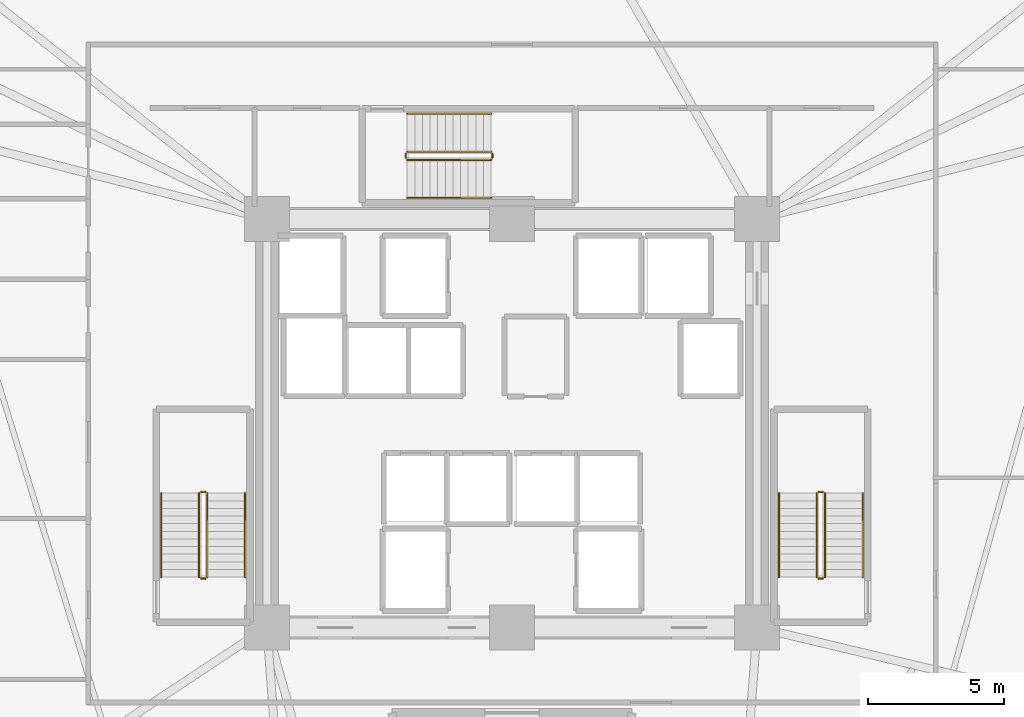
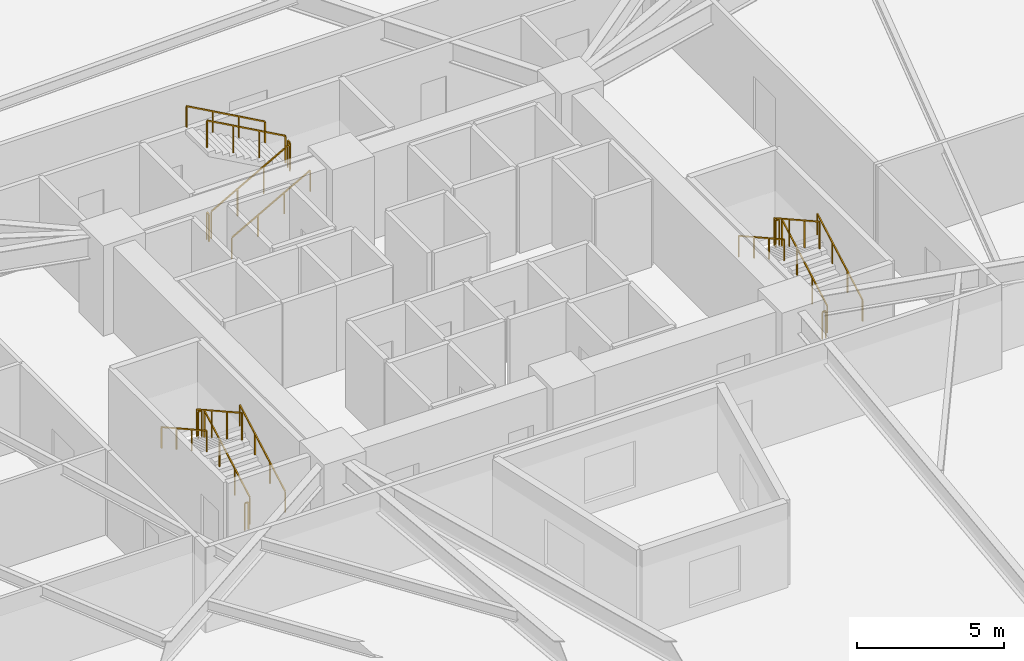
# One storey, part 9 of 9: 18 railings.
"""IFC4 building model written with IfcOpenShell, lengths in metres."""

import ifcopenshell
import ifcopenshell.guid

model = None  # the IFC model being written
_history = None  # IfcOwnerHistory: only IFC2X3 demands one
_inside = {}  # id of a spatial element -> (the spatial element, [elements in it])
_under = {}  # id of a project, library or spatial element -> (it, [spatial elements below it])
_declared = {}  # id of a project -> (the project, [libraries it declares])
_typed = {}  # id of a type object -> (the type object, [elements of that type])
_made_of = {}  # id of a material, layer set ... -> (it, [elements and type objects made of it])


def new_model(schema):
    """Start an empty IFC model of exactly this schema.

    Asked for "IFC4X3", IfcOpenShell would pick the latest addendum, in which some entities
    have other attributes; the version numbers below select the first issue.
    IFC2X3 requires an IfcOwnerHistory on every rooted entity: one is made here for all.
    """
    global model, _history
    if schema == "IFC4X3":
        model = ifcopenshell.file(schema_version=(4, 3, 0, 0))
    else:
        model = ifcopenshell.file(schema=schema)
    _inside.clear()
    _under.clear()
    _declared.clear()
    _typed.clear()
    _made_of.clear()
    _history = None
    if model.schema == "IFC2X3":
        org = make("IfcOrganization", Name="unknown")
        user = make(
            "IfcPersonAndOrganization",
            ThePerson=make("IfcPerson", FamilyName="unknown"),
            TheOrganization=org,
        )
        app = make(
            "IfcApplication",
            ApplicationDeveloper=org,
            Version="unknown",
            ApplicationFullName="unknown",
            ApplicationIdentifier="unknown",
        )
        _history = make(
            "IfcOwnerHistory",
            OwningUser=user,
            OwningApplication=app,
            ChangeAction="ADDED",
            CreationDate=0,
        )
    return model


def make(cls, **values):
    """One entity of the class cls with the attributes given. An attribute that is None is left unset."""
    return model.create_entity(
        cls, **{name: value for name, value in values.items() if value is not None}
    )


def rooted(cls, **values):
    """An entity with a GlobalId (a new one), such as an element, a storey or a relation."""
    return make(cls, GlobalId=ifcopenshell.guid.new(), OwnerHistory=_history, **values)


def si_unit(unit_type, name, prefix=None):
    """IfcSIUnit, for example si_unit("LENGTHUNIT", "METRE", prefix="MILLI")."""
    return make("IfcSIUnit", UnitType=unit_type, Prefix=prefix, Name=name)


def assignment(units):
    """IfcUnitAssignment: the units of a project."""
    return None if units is None else make("IfcUnitAssignment", Units=units)


def point(xyz):
    """IfcCartesianPoint."""
    return None if xyz is None else make("IfcCartesianPoint", Coordinates=xyz)


def direction(xyz):
    """IfcDirection."""
    return None if xyz is None else make("IfcDirection", DirectionRatios=xyz)


def frame(location, z_axis=None, x_axis=None):
    """IfcAxis2Placement3D, a coordinate frame: its origin and axes. An axis left out is left unset."""
    return make(
        "IfcAxis2Placement3D",
        Location=point(location),
        Axis=direction(z_axis),
        RefDirection=direction(x_axis),
    )


def frame_2d(location, x_axis=None):
    """IfcAxis2Placement2D, a coordinate frame in the plane: its origin and x axis."""
    return make(
        "IfcAxis2Placement2D", Location=point(location), RefDirection=direction(x_axis)
    )


def origin():
    """The frame at (0, 0, 0) with its axes left unset."""
    return frame((0.0, 0.0, 0.0))


def origin_2d():
    """The frame at (0, 0) in the plane with its x axis left unset."""
    return frame_2d((0.0, 0.0))


def place(relative_to, where):
    """IfcLocalPlacement: puts the frame where relative to a parent placement (None: the world)."""
    return make(
        "IfcLocalPlacement", PlacementRelTo=relative_to, RelativePlacement=where
    )


def context(
    kind, dimensions, precision=None, world=None, true_north=None, identifier=None
):
    """IfcGeometricRepresentationContext, for example the 3D "Model" context."""
    return make(
        "IfcGeometricRepresentationContext",
        ContextIdentifier=identifier,
        ContextType=kind,
        CoordinateSpaceDimension=dimensions,
        Precision=precision,
        WorldCoordinateSystem=world,
        TrueNorth=true_north,
    )


def subcontext(parent, identifier, kind, view, scale=None):
    """IfcGeometricRepresentationSubContext, for example "Body" below "Model"."""
    return make(
        "IfcGeometricRepresentationSubContext",
        ContextIdentifier=identifier,
        ContextType=kind,
        ParentContext=parent,
        TargetScale=scale,
        TargetView=view,
    )


def project(units=None, contexts=None):
    """IfcProject with its units and contexts."""
    return rooted(
        "IfcProject",
        Name="project",
        RepresentationContexts=contexts,
        UnitsInContext=assignment(units),
    )


def spatial(cls, under=None, at=None, **own):
    """A site, building, storey or space (cls), placed at a placement, below another one or the project."""
    s = rooted(cls, ObjectPlacement=at, **own)
    if under is not None:
        _under.setdefault(under.id(), (under, []))[1].append(s)
    return s


def profile(cls, at=None, kind="AREA", **sizes):
    """A parametric profile (cls). Its sizes go by their IFC names, for example OverallWidth=200.0."""
    return make(cls, ProfileType=kind, Position=at, **sizes)


def rectangle(**sizes):
    """IfcRectangleProfileDef."""
    return profile("IfcRectangleProfileDef", **sizes)


def extrude(swept, where, along, depth):
    """IfcExtrudedAreaSolid: the profile swept, set in the frame where, extruded along a direction by depth."""
    return make(
        "IfcExtrudedAreaSolid",
        SweptArea=swept,
        Position=where,
        ExtrudedDirection=direction(along),
        Depth=depth,
    )


def shape(context_of_items, identifier, shape_type, items):
    """IfcShapeRepresentation: the items that make up one representation, for example the "Body"."""
    return make(
        "IfcShapeRepresentation",
        ContextOfItems=context_of_items,
        RepresentationIdentifier=identifier,
        RepresentationType=shape_type,
        Items=items,
    )


def material(Name=None, Category=None):
    """IfcMaterial."""
    return make("IfcMaterial", Name=Name, Category=Category)


def made_of(thing, what):
    """Note that an element or type object is made of a material, layer set ...; save() writes the relation."""
    if what is not None:
        _made_of.setdefault(what.id(), (what, []))[1].append(thing)
    return thing


def type_object(cls, material=None, **own):
    """A type object (cls), such as IfcWallType, which elements share."""
    return made_of(rooted(cls, **own), material)


def element(
    cls,
    number,
    at=None,
    inside=None,
    cuts=None,
    type_object=None,
    material=None,
    context=None,
    identifier="Body",
    shape_type=None,
    held_by="IfcProductDefinitionShape",
    body=None,
    shapes=None,
    **own,
):
    """One element of the class cls, such as IfcWall. Its Tag is "e" and its number.

    at: its placement. inside: the storey or other place that contains it. cuts: it is an
    opening in that element (IfcRelVoidsElement). A single representation is given by context,
    identifier, shape_type and body (its items); several are given by shapes. held_by: the class
    of the entity that holds the representations. save() writes the other relations.
    """
    e = rooted(cls, Tag="e%d" % number, ObjectPlacement=at, **own)
    if body is not None:
        shapes = [shape(context, identifier, shape_type, body)]
    if shapes is not None:
        e.Representation = make(held_by, Representations=shapes)
    if inside is not None:
        _inside.setdefault(inside.id(), (inside, []))[1].append(e)
    if cuts is not None:
        rooted(
            "IfcRelVoidsElement", RelatingBuildingElement=cuts, RelatedOpeningElement=e
        )
    if type_object is not None:
        _typed.setdefault(type_object.id(), (type_object, []))[1].append(e)
    return made_of(e, material)


def aggregate(whole, parts):
    """IfcRelAggregates: a whole, such as a stair, and the parts it consists of."""
    return rooted("IfcRelAggregates", RelatingObject=whole, RelatedObjects=parts)


def save(model, path):
    """Write the relations noted so far, then the file.

    IfcRelAggregates (storeys below a building ...), IfcRelContainedInSpatialStructure (elements
    in a storey), IfcRelDefinesByType, IfcRelAssociatesMaterial and IfcRelDeclares: one each for
    every whole, place, type object, material and project.
    """
    for whole, parts in _under.values():
        aggregate(whole, parts)
    for where, things in _inside.values():
        rooted(
            "IfcRelContainedInSpatialStructure",
            RelatedElements=things,
            RelatingStructure=where,
        )
    for kind, things in _typed.values():
        rooted("IfcRelDefinesByType", RelatedObjects=things, RelatingType=kind)
    for what, things in _made_of.values():
        rooted("IfcRelAssociatesMaterial", RelatedObjects=things, RelatingMaterial=what)
    for by, libraries in _declared.values():
        rooted("IfcRelDeclares", RelatingContext=by, RelatedDefinitions=libraries)
    model.write(path)


model = new_model("IFC4")

# Units and contexts
model_context = context("Model", 3, precision=1e-05, world=origin(), true_north=direction((0.0, 1.0)))
body_context = subcontext(model_context, "Body", "Model", "MODEL_VIEW")
ifc_project = project(units=[si_unit("LENGTHUNIT", "METRE"), si_unit("AREAUNIT", "SQUARE_METRE"), si_unit("VOLUMEUNIT", "CUBIC_METRE"), si_unit("PLANEANGLEUNIT", "RADIAN"), si_unit("MASSUNIT", "GRAM", prefix="KILO")], contexts=[model_context])

# Site, building, storey
site_placement = place(None, origin())
site = spatial("IfcSite", under=ifc_project, at=site_placement, CompositionType="ELEMENT")
building_placement = place(site_placement, origin())
building = spatial("IfcBuilding", under=site, at=building_placement, Name="Liaohun Quay Tower", CompositionType="ELEMENT")
storey_placement = place(building_placement, frame((0.0, 0.0, 28.5)))
storey = spatial("IfcBuildingStorey", under=building, at=storey_placement, Name="L07", CompositionType="ELEMENT", Elevation=28.5)

# Railings
ifc_material_1 = material(Name="Painted tubular steel", Category="steel")
railing_type_1 = type_object("IfcRailingType", Name="RLG-GUARD-STR", PredefinedType="GUARDRAIL", material=ifc_material_1)
railing_1_placement = place(storey_placement, frame((48.81005859375, 48.35009765625, 0.15625)))
element("IfcRailing", 1, at=railing_1_placement, inside=storey, type_object=railing_type_1, Name="L07 ST-1 stair guard 1", PredefinedType="GUARDRAIL", context=body_context, shape_type="SweptSolid", body=[
    extrude(rectangle(XDim=0.048095703125, YDim=0.048095703125, at=origin_2d()), frame((0.0, 0.0, 1.1259765625), z_axis=(0.0, 0.873225103656, 0.487317061414), x_axis=(-1.0, 0.0, 0.0)), (0.0, 0.0, 1.0), 3.52685546875),
    extrude(rectangle(XDim=0.0419921875, YDim=0.0419921875, at=origin_2d()), origin(), (0.0, 0.0, 1.0), 1.101806640625),
    extrude(rectangle(XDim=0.0419921875, YDim=0.0419921875, at=origin_2d()), frame((0.0, 1.026611328125, 0.572998046875)), (0.0, 0.0, 1.0), 1.101806640625),
    extrude(rectangle(XDim=0.0419921875, YDim=0.0419921875, at=origin_2d()), frame((0.0, 2.05322265625, 1.145751953125)), (0.0, 0.0, 1.0), 1.101806640625),
    extrude(rectangle(XDim=0.0419921875, YDim=0.0419921875, at=origin_2d()), frame((0.0, 3.079833984375, 1.71875)), (0.0, 0.0, 1.0), 1.101806640625),
])
railing_2_placement = place(storey_placement, frame((48.72998046875, 51.47998046875, 1.875)))
element("IfcRailing", 2, at=railing_2_placement, inside=storey, type_object=railing_type_1, Name="L07 ST-1 stair guard 2", PredefinedType="GUARDRAIL", context=body_context, shape_type="SweptSolid", body=[
    extrude(rectangle(XDim=0.048095703125, YDim=0.048095703125, at=origin_2d()), frame((0.0, 0.0, 1.1259765625), z_axis=(-1.0, 0.0, 0.0), x_axis=(0.0, -1.0, 0.0)), (0.0, 0.0, 1.0), 0.139892578125),
    extrude(rectangle(XDim=0.0419921875, YDim=0.0419921875, at=origin_2d()), origin(), (0.0, 0.0, 1.0), 1.101806640625),
    extrude(rectangle(XDim=0.0419921875, YDim=0.0419921875, at=origin_2d()), frame((-0.139892578125, 0.0, 0.0)), (0.0, 0.0, 1.0), 1.101806640625),
])
railing_3_placement = place(storey_placement, frame((48.510009765625, 51.429931640625, 2.03125)))
element("IfcRailing", 3, at=railing_3_placement, inside=storey, type_object=railing_type_1, Name="L07 ST-1 stair guard 3", PredefinedType="GUARDRAIL", context=body_context, shape_type="SweptSolid", body=[
    extrude(rectangle(XDim=0.048095703125, YDim=0.048095703125, at=origin_2d()), frame((0.0, 0.0, 1.1259765625), z_axis=(0.0, -0.873225103656, 0.487317061414), x_axis=(1.0, 0.0, 0.0)), (0.0, 0.0, 1.0), 3.52685546875),
    extrude(rectangle(XDim=0.0419921875, YDim=0.0419921875, at=origin_2d()), origin(), (0.0, 0.0, 1.0), 1.101806640625),
    extrude(rectangle(XDim=0.0419921875, YDim=0.0419921875, at=origin_2d()), frame((0.0, -1.026611328125, 0.572998046875)), (0.0, 0.0, 1.0), 1.101806640625),
    extrude(rectangle(XDim=0.0419921875, YDim=0.0419921875, at=origin_2d()), frame((0.0, -2.05322265625, 1.145751953125)), (0.0, 0.0, 1.0), 1.101806640625),
    extrude(rectangle(XDim=0.0419921875, YDim=0.0419921875, at=origin_2d()), frame((0.0, -3.079833984375, 1.71875)), (0.0, 0.0, 1.0), 1.101806640625),
])
railing_4_placement = place(storey_placement, frame((48.72998046875, 48.300048828125, 0.0)))
element("IfcRailing", 4, at=railing_4_placement, inside=storey, type_object=railing_type_1, Name="L07 ST-1 stair guard 4", PredefinedType="GUARDRAIL", context=body_context, shape_type="SweptSolid", body=[
    extrude(rectangle(XDim=0.048095703125, YDim=0.048095703125, at=origin_2d()), frame((0.0, 0.0, 1.1259765625), z_axis=(-1.0, 0.0, 0.0), x_axis=(0.0, -1.0, 0.0)), (0.0, 0.0, 1.0), 0.139892578125),
    extrude(rectangle(XDim=0.0419921875, YDim=0.0419921875, at=origin_2d()), origin(), (0.0, 0.0, 1.0), 1.101806640625),
    extrude(rectangle(XDim=0.0419921875, YDim=0.0419921875, at=origin_2d()), frame((-0.139892578125, 0.0, 0.0)), (0.0, 0.0, 1.0), 1.101806640625),
])
railing_5_placement = place(storey_placement, frame((71.489990234375, 48.35009765625, 0.15625)))
element("IfcRailing", 5, at=railing_5_placement, inside=storey, type_object=railing_type_1, Name="L07 ST-2 stair guard 1", PredefinedType="GUARDRAIL", context=body_context, shape_type="SweptSolid", body=[
    extrude(rectangle(XDim=0.048095703125, YDim=0.048095703125, at=origin_2d()), frame((0.0, 0.0, 1.1259765625), z_axis=(0.0, 0.873225103656, 0.487317061414), x_axis=(-1.0, 0.0, 0.0)), (0.0, 0.0, 1.0), 3.52685546875),
    extrude(rectangle(XDim=0.0419921875, YDim=0.0419921875, at=origin_2d()), origin(), (0.0, 0.0, 1.0), 1.101806640625),
    extrude(rectangle(XDim=0.0419921875, YDim=0.0419921875, at=origin_2d()), frame((0.0, 1.026611328125, 0.572998046875)), (0.0, 0.0, 1.0), 1.101806640625),
    extrude(rectangle(XDim=0.0419921875, YDim=0.0419921875, at=origin_2d()), frame((0.0, 2.05322265625, 1.145751953125)), (0.0, 0.0, 1.0), 1.101806640625),
    extrude(rectangle(XDim=0.0419921875, YDim=0.0419921875, at=origin_2d()), frame((0.0, 3.079833984375, 1.71875)), (0.0, 0.0, 1.0), 1.101806640625),
])
railing_6_placement = place(storey_placement, frame((71.409912109375, 51.47998046875, 1.875)))
element("IfcRailing", 6, at=railing_6_placement, inside=storey, type_object=railing_type_1, Name="L07 ST-2 stair guard 2", PredefinedType="GUARDRAIL", context=body_context, shape_type="SweptSolid", body=[
    extrude(rectangle(XDim=0.048095703125, YDim=0.048095703125, at=origin_2d()), frame((0.0, 0.0, 1.1259765625), z_axis=(-1.0, 0.0, 0.0), x_axis=(0.0, -1.0, 0.0)), (0.0, 0.0, 1.0), 0.139892578125),
    extrude(rectangle(XDim=0.0419921875, YDim=0.0419921875, at=origin_2d()), origin(), (0.0, 0.0, 1.0), 1.101806640625),
    extrude(rectangle(XDim=0.0419921875, YDim=0.0419921875, at=origin_2d()), frame((-0.139892578125, 0.0, 0.0)), (0.0, 0.0, 1.0), 1.101806640625),
])
railing_7_placement = place(storey_placement, frame((71.18994140625, 51.429931640625, 2.03125)))
element("IfcRailing", 7, at=railing_7_placement, inside=storey, type_object=railing_type_1, Name="L07 ST-2 stair guard 3", PredefinedType="GUARDRAIL", context=body_context, shape_type="SweptSolid", body=[
    extrude(rectangle(XDim=0.048095703125, YDim=0.048095703125, at=origin_2d()), frame((0.0, 0.0, 1.1259765625), z_axis=(0.0, -0.873225103656, 0.487317061414), x_axis=(1.0, 0.0, 0.0)), (0.0, 0.0, 1.0), 3.52685546875),
    extrude(rectangle(XDim=0.0419921875, YDim=0.0419921875, at=origin_2d()), origin(), (0.0, 0.0, 1.0), 1.101806640625),
    extrude(rectangle(XDim=0.0419921875, YDim=0.0419921875, at=origin_2d()), frame((0.0, -1.026611328125, 0.572998046875)), (0.0, 0.0, 1.0), 1.101806640625),
    extrude(rectangle(XDim=0.0419921875, YDim=0.0419921875, at=origin_2d()), frame((0.0, -2.05322265625, 1.145751953125)), (0.0, 0.0, 1.0), 1.101806640625),
    extrude(rectangle(XDim=0.0419921875, YDim=0.0419921875, at=origin_2d()), frame((0.0, -3.079833984375, 1.71875)), (0.0, 0.0, 1.0), 1.101806640625),
])
railing_8_placement = place(storey_placement, frame((71.409912109375, 48.300048828125, 0.0)))
element("IfcRailing", 8, at=railing_8_placement, inside=storey, type_object=railing_type_1, Name="L07 ST-2 stair guard 4", PredefinedType="GUARDRAIL", context=body_context, shape_type="SweptSolid", body=[
    extrude(rectangle(XDim=0.048095703125, YDim=0.048095703125, at=origin_2d()), frame((0.0, 0.0, 1.1259765625), z_axis=(-1.0, 0.0, 0.0), x_axis=(0.0, -1.0, 0.0)), (0.0, 0.0, 1.0), 0.139892578125),
    extrude(rectangle(XDim=0.0419921875, YDim=0.0419921875, at=origin_2d()), origin(), (0.0, 0.0, 1.0), 1.101806640625),
    extrude(rectangle(XDim=0.0419921875, YDim=0.0419921875, at=origin_2d()), frame((-0.139892578125, 0.0, 0.0)), (0.0, 0.0, 1.0), 1.101806640625),
])
railing_9_placement = place(storey_placement, frame((56.14990234375, 63.669921875, 0.15625)))
element("IfcRailing", 9, at=railing_9_placement, inside=storey, type_object=railing_type_1, Name="L07 ST-3 stair guard 1", PredefinedType="GUARDRAIL", context=body_context, shape_type="SweptSolid", body=[
    extrude(rectangle(XDim=0.048095703125, YDim=0.048095703125, at=origin_2d()), frame((0.0, 0.0, 1.1259765625), z_axis=(0.873241540666, 0.0, 0.487287606713), x_axis=(0.0, 1.0, 0.0)), (0.0, 0.0, 1.0), 3.527099609375),
    extrude(rectangle(XDim=0.0419921875, YDim=0.0419921875, at=origin_2d()), origin(), (0.0, 0.0, 1.0), 1.101806640625),
    extrude(rectangle(XDim=0.0419921875, YDim=0.0419921875, at=origin_2d()), frame((1.026611328125, 0.0, 0.572998046875)), (0.0, 0.0, 1.0), 1.101806640625),
    extrude(rectangle(XDim=0.0419921875, YDim=0.0419921875, at=origin_2d()), frame((2.053466796875, 0.0, 1.145751953125)), (0.0, 0.0, 1.0), 1.101806640625),
    extrude(rectangle(XDim=0.0419921875, YDim=0.0419921875, at=origin_2d()), frame((3.080078125, 0.0, 1.71875)), (0.0, 0.0, 1.0), 1.101806640625),
])
railing_10_placement = place(storey_placement, frame((59.280029296875, 63.75, 1.875)))
element("IfcRailing", 10, at=railing_10_placement, inside=storey, type_object=railing_type_1, Name="L07 ST-3 stair guard 2", PredefinedType="GUARDRAIL", context=body_context, shape_type="SweptSolid", body=[
    extrude(rectangle(XDim=0.048095703125, YDim=0.048095703125, at=origin_2d()), frame((0.0, 0.0, 1.1259765625), z_axis=(0.0, 1.0, 0.0), x_axis=(-1.0, 0.0, 0.0)), (0.0, 0.0, 1.0), 0.139892578125),
    extrude(rectangle(XDim=0.0419921875, YDim=0.0419921875, at=origin_2d()), origin(), (0.0, 0.0, 1.0), 1.101806640625),
    extrude(rectangle(XDim=0.0419921875, YDim=0.0419921875, at=origin_2d()), frame((0.0, 0.139892578125, 0.0)), (0.0, 0.0, 1.0), 1.101806640625),
])
railing_11_placement = place(storey_placement, frame((59.22998046875, 63.969970703125, 2.03125)))
element("IfcRailing", 11, at=railing_11_placement, inside=storey, type_object=railing_type_1, Name="L07 ST-3 stair guard 3", PredefinedType="GUARDRAIL", context=body_context, shape_type="SweptSolid", body=[
    extrude(rectangle(XDim=0.048095703125, YDim=0.048095703125, at=origin_2d()), frame((0.0, 0.0, 1.1259765625), z_axis=(-0.873241540666, 0.0, 0.487287606713), x_axis=(0.0, -1.0, 0.0)), (0.0, 0.0, 1.0), 3.527099609375),
    extrude(rectangle(XDim=0.0419921875, YDim=0.0419921875, at=origin_2d()), origin(), (0.0, 0.0, 1.0), 1.101806640625),
    extrude(rectangle(XDim=0.0419921875, YDim=0.0419921875, at=origin_2d()), frame((-1.026611328125, 0.0, 0.572998046875)), (0.0, 0.0, 1.0), 1.101806640625),
    extrude(rectangle(XDim=0.0419921875, YDim=0.0419921875, at=origin_2d()), frame((-2.053466796875, 0.0, 1.145751953125)), (0.0, 0.0, 1.0), 1.101806640625),
    extrude(rectangle(XDim=0.0419921875, YDim=0.0419921875, at=origin_2d()), frame((-3.080078125, 0.0, 1.71875)), (0.0, 0.0, 1.0), 1.101806640625),
])
railing_12_placement = place(storey_placement, frame((56.10009765625, 63.75, 0.0)))
element("IfcRailing", 12, at=railing_12_placement, inside=storey, type_object=railing_type_1, Name="L07 ST-3 stair guard 4", PredefinedType="GUARDRAIL", context=body_context, shape_type="SweptSolid", body=[
    extrude(rectangle(XDim=0.048095703125, YDim=0.048095703125, at=origin_2d()), frame((0.0, 0.0, 1.1259765625), z_axis=(0.0, 1.0, 0.0), x_axis=(-1.0, 0.0, 0.0)), (0.0, 0.0, 1.0), 0.139892578125),
    extrude(rectangle(XDim=0.0419921875, YDim=0.0419921875, at=origin_2d()), origin(), (0.0, 0.0, 1.0), 1.101806640625),
    extrude(rectangle(XDim=0.0419921875, YDim=0.0419921875, at=origin_2d()), frame((0.0, 0.139892578125, 0.0)), (0.0, 0.0, 1.0), 1.101806640625),
])
ifc_material_2 = material(Name="Brushed stainless steel", Category="steel")
railing_type_2 = type_object("IfcRailingType", Name="RLG-HND-STR", PredefinedType="HANDRAIL", material=ifc_material_2)
railing_13_placement = place(storey_placement, frame((50.199951171875, 48.35009765625, 0.15625)))
element("IfcRailing", 13, at=railing_13_placement, inside=storey, type_object=railing_type_2, Name="L07 ST-1 stair handrail 1", PredefinedType="HANDRAIL", context=body_context, shape_type="SweptSolid", body=[
    extrude(rectangle(XDim=0.048095703125, YDim=0.048095703125, at=origin_2d()), frame((0.0, 0.0, 0.8759765625), z_axis=(0.0, 0.873225103656, 0.487317061414), x_axis=(-1.0, 0.0, 0.0)), (0.0, 0.0, 1.0), 3.52685546875),
    extrude(rectangle(XDim=0.0419921875, YDim=0.0419921875, at=origin_2d()), origin(), (0.0, 0.0, 1.0), 0.851806640625),
    extrude(rectangle(XDim=0.0419921875, YDim=0.0419921875, at=origin_2d()), frame((0.0, 1.026611328125, 0.572998046875)), (0.0, 0.0, 1.0), 0.851806640625),
    extrude(rectangle(XDim=0.0419921875, YDim=0.0419921875, at=origin_2d()), frame((0.0, 2.05322265625, 1.145751953125)), (0.0, 0.0, 1.0), 0.851806640625),
    extrude(rectangle(XDim=0.0419921875, YDim=0.0419921875, at=origin_2d()), frame((0.0, 3.079833984375, 1.71875)), (0.0, 0.0, 1.0), 0.851806640625),
])
railing_14_placement = place(storey_placement, frame((47.1201171875, 51.429931640625, 2.03125)))
element("IfcRailing", 14, at=railing_14_placement, inside=storey, type_object=railing_type_2, Name="L07 ST-1 stair handrail 2", PredefinedType="HANDRAIL", context=body_context, shape_type="SweptSolid", body=[
    extrude(rectangle(XDim=0.048095703125, YDim=0.048095703125, at=origin_2d()), frame((0.0, 0.0, 0.8759765625), z_axis=(0.0, -0.873225103656, 0.487317061414), x_axis=(1.0, 0.0, 0.0)), (0.0, 0.0, 1.0), 3.52685546875),
    extrude(rectangle(XDim=0.0419921875, YDim=0.0419921875, at=origin_2d()), origin(), (0.0, 0.0, 1.0), 0.851806640625),
    extrude(rectangle(XDim=0.0419921875, YDim=0.0419921875, at=origin_2d()), frame((0.0, -1.026611328125, 0.572998046875)), (0.0, 0.0, 1.0), 0.851806640625),
    extrude(rectangle(XDim=0.0419921875, YDim=0.0419921875, at=origin_2d()), frame((0.0, -2.05322265625, 1.145751953125)), (0.0, 0.0, 1.0), 0.851806640625),
    extrude(rectangle(XDim=0.0419921875, YDim=0.0419921875, at=origin_2d()), frame((0.0, -3.079833984375, 1.71875)), (0.0, 0.0, 1.0), 0.851806640625),
])
railing_15_placement = place(storey_placement, frame((72.8798828125, 48.35009765625, 0.15625)))
element("IfcRailing", 15, at=railing_15_placement, inside=storey, type_object=railing_type_2, Name="L07 ST-2 stair handrail 1", PredefinedType="HANDRAIL", context=body_context, shape_type="SweptSolid", body=[
    extrude(rectangle(XDim=0.048095703125, YDim=0.048095703125, at=origin_2d()), frame((0.0, 0.0, 0.8759765625), z_axis=(0.0, 0.873225103656, 0.487317061414), x_axis=(-1.0, 0.0, 0.0)), (0.0, 0.0, 1.0), 3.52685546875),
    extrude(rectangle(XDim=0.0419921875, YDim=0.0419921875, at=origin_2d()), origin(), (0.0, 0.0, 1.0), 0.851806640625),
    extrude(rectangle(XDim=0.0419921875, YDim=0.0419921875, at=origin_2d()), frame((0.0, 1.026611328125, 0.572998046875)), (0.0, 0.0, 1.0), 0.851806640625),
    extrude(rectangle(XDim=0.0419921875, YDim=0.0419921875, at=origin_2d()), frame((0.0, 2.05322265625, 1.145751953125)), (0.0, 0.0, 1.0), 0.851806640625),
    extrude(rectangle(XDim=0.0419921875, YDim=0.0419921875, at=origin_2d()), frame((0.0, 3.079833984375, 1.71875)), (0.0, 0.0, 1.0), 0.851806640625),
])
railing_16_placement = place(storey_placement, frame((69.800048828125, 51.429931640625, 2.03125)))
element("IfcRailing", 16, at=railing_16_placement, inside=storey, type_object=railing_type_2, Name="L07 ST-2 stair handrail 2", PredefinedType="HANDRAIL", context=body_context, shape_type="SweptSolid", body=[
    extrude(rectangle(XDim=0.048095703125, YDim=0.048095703125, at=origin_2d()), frame((0.0, 0.0, 0.8759765625), z_axis=(0.0, -0.873225103656, 0.487317061414), x_axis=(1.0, 0.0, 0.0)), (0.0, 0.0, 1.0), 3.52685546875),
    extrude(rectangle(XDim=0.0419921875, YDim=0.0419921875, at=origin_2d()), origin(), (0.0, 0.0, 1.0), 0.851806640625),
    extrude(rectangle(XDim=0.0419921875, YDim=0.0419921875, at=origin_2d()), frame((0.0, -1.026611328125, 0.572998046875)), (0.0, 0.0, 1.0), 0.851806640625),
    extrude(rectangle(XDim=0.0419921875, YDim=0.0419921875, at=origin_2d()), frame((0.0, -2.05322265625, 1.145751953125)), (0.0, 0.0, 1.0), 0.851806640625),
    extrude(rectangle(XDim=0.0419921875, YDim=0.0419921875, at=origin_2d()), frame((0.0, -3.079833984375, 1.71875)), (0.0, 0.0, 1.0), 0.851806640625),
])
railing_17_placement = place(storey_placement, frame((56.14990234375, 62.280029296875, 0.15625)))
element("IfcRailing", 17, at=railing_17_placement, inside=storey, type_object=railing_type_2, Name="L07 ST-3 stair handrail 1", PredefinedType="HANDRAIL", context=body_context, shape_type="SweptSolid", body=[
    extrude(rectangle(XDim=0.048095703125, YDim=0.048095703125, at=origin_2d()), frame((0.0, 0.0, 0.8759765625), z_axis=(0.873241540666, 0.0, 0.487287606713), x_axis=(0.0, 1.0, 0.0)), (0.0, 0.0, 1.0), 3.527099609375),
    extrude(rectangle(XDim=0.0419921875, YDim=0.0419921875, at=origin_2d()), origin(), (0.0, 0.0, 1.0), 0.851806640625),
    extrude(rectangle(XDim=0.0419921875, YDim=0.0419921875, at=origin_2d()), frame((1.026611328125, 0.0, 0.572998046875)), (0.0, 0.0, 1.0), 0.851806640625),
    extrude(rectangle(XDim=0.0419921875, YDim=0.0419921875, at=origin_2d()), frame((2.053466796875, 0.0, 1.145751953125)), (0.0, 0.0, 1.0), 0.851806640625),
    extrude(rectangle(XDim=0.0419921875, YDim=0.0419921875, at=origin_2d()), frame((3.080078125, 0.0, 1.71875)), (0.0, 0.0, 1.0), 0.851806640625),
])
railing_18_placement = place(storey_placement, frame((59.22998046875, 65.360107421875, 2.03125)))
element("IfcRailing", 18, at=railing_18_placement, inside=storey, type_object=railing_type_2, Name="L07 ST-3 stair handrail 2", PredefinedType="HANDRAIL", context=body_context, shape_type="SweptSolid", body=[
    extrude(rectangle(XDim=0.048095703125, YDim=0.048095703125, at=origin_2d()), frame((0.0, 0.0, 0.8759765625), z_axis=(-0.873241540666, 0.0, 0.487287606713), x_axis=(0.0, -1.0, 0.0)), (0.0, 0.0, 1.0), 3.527099609375),
    extrude(rectangle(XDim=0.0419921875, YDim=0.0419921875, at=origin_2d()), origin(), (0.0, 0.0, 1.0), 0.851806640625),
    extrude(rectangle(XDim=0.0419921875, YDim=0.0419921875, at=origin_2d()), frame((-1.026611328125, 0.0, 0.572998046875)), (0.0, 0.0, 1.0), 0.851806640625),
    extrude(rectangle(XDim=0.0419921875, YDim=0.0419921875, at=origin_2d()), frame((-2.053466796875, 0.0, 1.145751953125)), (0.0, 0.0, 1.0), 0.851806640625),
    extrude(rectangle(XDim=0.0419921875, YDim=0.0419921875, at=origin_2d()), frame((-3.080078125, 0.0, 1.71875)), (0.0, 0.0, 1.0), 0.851806640625),
])

save(model, "model.ifc")
